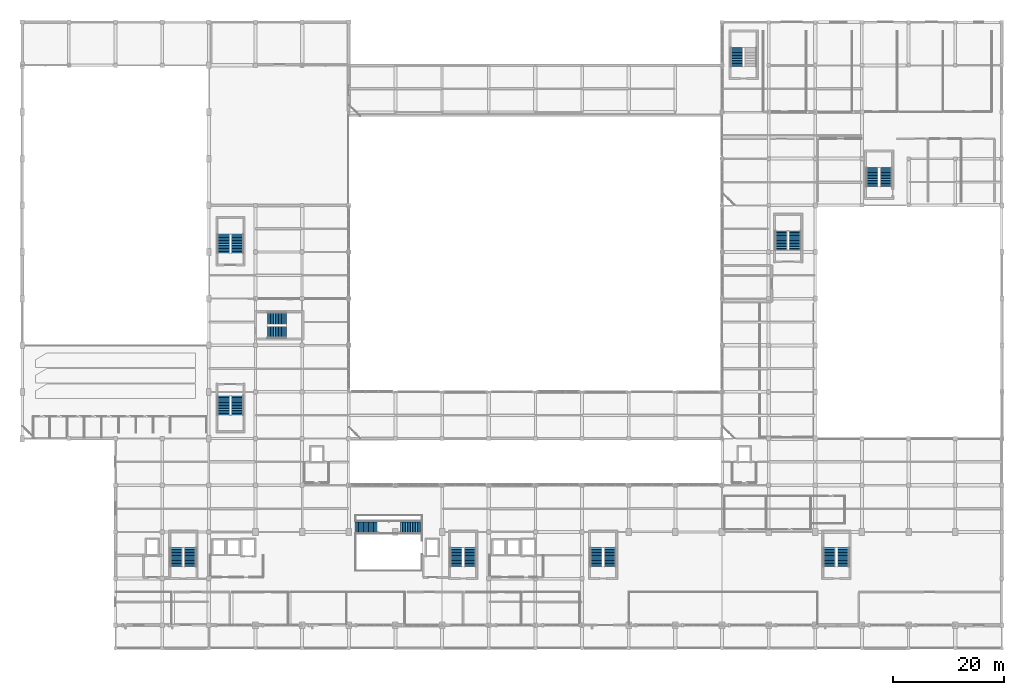
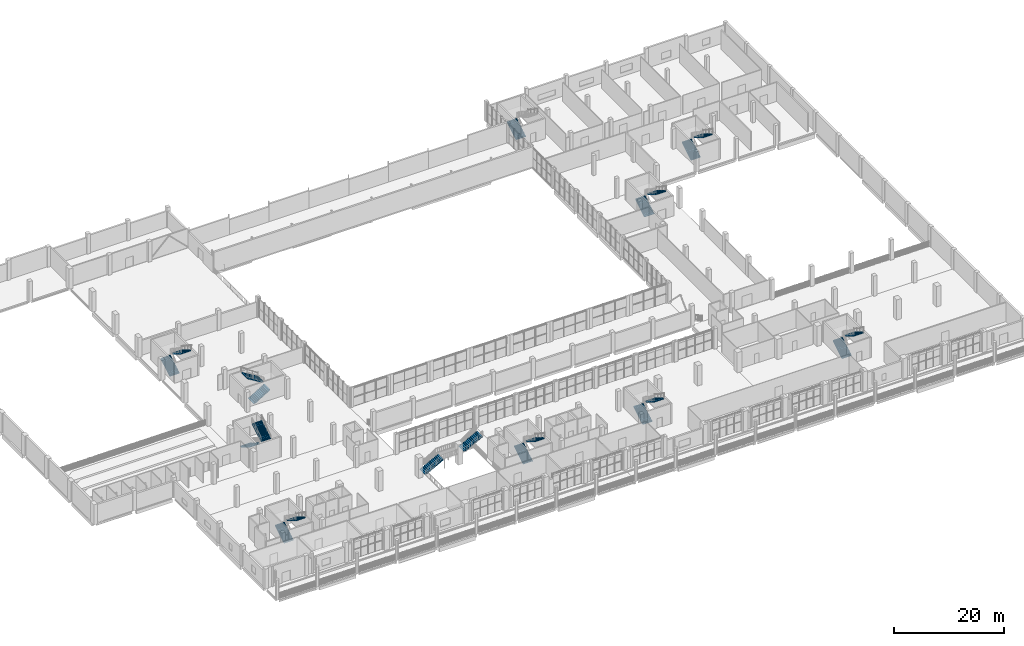
# One storey, part 66 of 75: 21 stair flights, 11 elements without a shape of their own.
"""IFC4 building model written with IfcOpenShell, lengths in metres."""

from ifc_helpers import new_model, si_unit, derived_unit, direction, frame, origin, place, context, subcontext, project, spatial, polyline, outline, extrude, material, type_object, element, aggregate, save


model = new_model("IFC4")

# Units and contexts
model_context = context("Model", 3, precision=1e-05, world=origin(), true_north=direction((0.0, 1.0)))
body_context = subcontext(model_context, "Body", "Model", "MODEL_VIEW")
ifc_project = project(units=[si_unit("LENGTHUNIT", "METRE"), si_unit("AREAUNIT", "SQUARE_METRE"), si_unit("VOLUMEUNIT", "CUBIC_METRE"), si_unit("PLANEANGLEUNIT", "RADIAN"), si_unit("MASSUNIT", "GRAM", prefix="KILO"), derived_unit("THERMALTRANSMITTANCEUNIT", [(si_unit("POWERUNIT", "WATT"), 1), (si_unit("LENGTHUNIT", "METRE"), -2), (si_unit("THERMODYNAMICTEMPERATUREUNIT", "KELVIN"), -1)])], contexts=[model_context])

# Site, building, storey
site_placement = place(None, origin())
site = spatial("IfcSite", under=ifc_project, at=site_placement, CompositionType="ELEMENT")
building_placement = place(site_placement, origin())
building = spatial("IfcBuilding", under=site, at=building_placement, Name="Barrovel Congress Hotel", CompositionType="ELEMENT")
storey_placement = place(building_placement, frame((0.0, 0.0, 5.39990234375)))
storey = spatial("IfcBuildingStorey", under=building, at=storey_placement, Name="L01", CompositionType="ELEMENT", Elevation=5.39990234375)

# Stair, stair flights
ifc_material = material(Name="Concrete C40", Category="concrete")
stair_type_1 = type_object("IfcStairType", Name="STR-HT-450", PredefinedType="HALF_TURN_STAIR", material=ifc_material)
stair_1_placement = place(storey_placement, origin())
stair_1 = element("IfcStair", 1, at=stair_1_placement, inside=storey, type_object=stair_type_1, Name="Exit Stair XS-01 (L01)", PredefinedType="HALF_TURN_STAIR")
stair_flight_type_1 = type_object("IfcStairFlightType", Name="SFL-200x225", PredefinedType="STRAIGHT", material=ifc_material)
stair_flight_1_placement = place(storey_placement, frame((27.760009765625, 14.739990234375, 0.0), z_axis=(0.0, 0.0, 1.0), x_axis=(0.0, 1.0, 0.0)))
stair_flight_1 = element("IfcStairFlight", 2, at=stair_flight_1_placement, type_object=stair_flight_type_1, Name="STAIR:XS-01:L01:F1", NumberOfRisers=13, NumberOfTreads=12, PredefinedType="STRAIGHT", RiserHeight=0.173077, TreadLength=0.285, context=body_context, shape_type="SweptSolid", body=[
    extrude(outline(polyline([(0.0, 0.0), (0.0, 0.173095703125), (0.284912109375, 0.173095703125), (0.284912109375, 0.34619140625), (0.570068359375, 0.34619140625), (0.570068359375, 0.519287109375), (0.85498046875, 0.519287109375), (0.85498046875, 0.6923828125), (1.139892578125, 0.6923828125), (1.139892578125, 0.865478515625), (1.425048828125, 0.865478515625), (1.425048828125, 1.03857421875), (1.7099609375, 1.03857421875), (1.7099609375, 1.21142578125), (1.9951171875, 1.21142578125), (1.9951171875, 1.384521484375), (2.280029296875, 1.384521484375), (2.280029296875, 1.5576171875), (2.56494140625, 1.5576171875), (2.56494140625, 1.730712890625), (2.85009765625, 1.730712890625), (2.85009765625, 1.90380859375), (3.135009765625, 1.90380859375), (3.135009765625, 2.076904296875), (3.419921875, 2.076904296875), (3.419921875, 2.25), (3.419921875, 1.866455078125), (0.3466796875, 0.0), (0.0, 0.0)])), frame((0.0, 1.0, 0.0), z_axis=(0.0, -1.0, 0.0), x_axis=(1.0, 0.0, 0.0)), (0.0, 0.0, 1.0), 2.0),
])
stair_flight_2_placement = place(storey_placement, frame((30.239990234375, 18.159912109375, 2.25), z_axis=(0.0, 0.0, 1.0), x_axis=(0.0, -1.0, 0.0)))
stair_flight_2 = element("IfcStairFlight", 3, at=stair_flight_2_placement, type_object=stair_flight_type_1, Name="STAIR:XS-01:L01:F2", NumberOfRisers=13, NumberOfTreads=12, PredefinedType="STRAIGHT", RiserHeight=0.173077, TreadLength=0.285, context=body_context, shape_type="SweptSolid", body=[
    extrude(outline(polyline([(0.0, 0.0), (0.0, 0.173095703125), (0.284912109375, 0.173095703125), (0.284912109375, 0.34619140625), (0.570068359375, 0.34619140625), (0.570068359375, 0.519287109375), (0.85498046875, 0.519287109375), (0.85498046875, 0.6923828125), (1.139892578125, 0.6923828125), (1.139892578125, 0.865478515625), (1.425048828125, 0.865478515625), (1.425048828125, 1.03857421875), (1.7099609375, 1.03857421875), (1.7099609375, 1.21142578125), (1.9951171875, 1.21142578125), (1.9951171875, 1.384521484375), (2.280029296875, 1.384521484375), (2.280029296875, 1.5576171875), (2.56494140625, 1.5576171875), (2.56494140625, 1.730712890625), (2.85009765625, 1.730712890625), (2.85009765625, 1.90380859375), (3.135009765625, 1.90380859375), (3.135009765625, 2.076904296875), (3.419921875, 2.076904296875), (3.419921875, 2.25), (3.419921875, 1.866455078125), (0.3466796875, 0.0), (0.0, 0.0)])), frame((0.0, 1.0, 0.0), z_axis=(0.0, -1.0, 0.0), x_axis=(1.0, 0.0, 0.0)), (0.0, 0.0, 1.0), 2.0),
])
aggregate(stair_1, [stair_flight_1, stair_flight_2])

stair_2_placement = place(storey_placement, origin())
stair_2 = element("IfcStair", 4, at=stair_2_placement, inside=storey, type_object=stair_type_1, Name="Exit Stair XS-02 (L01)", PredefinedType="HALF_TURN_STAIR")
stair_flight_3_placement = place(storey_placement, frame((78.159912109375, 14.739990234375, 0.0), z_axis=(0.0, 0.0, 1.0), x_axis=(0.0, 1.0, 0.0)))
stair_flight_3 = element("IfcStairFlight", 5, at=stair_flight_3_placement, type_object=stair_flight_type_1, Name="STAIR:XS-02:L01:F1", NumberOfRisers=13, NumberOfTreads=12, PredefinedType="STRAIGHT", RiserHeight=0.173077, TreadLength=0.285, context=body_context, shape_type="SweptSolid", body=[
    extrude(outline(polyline([(0.0, 0.0), (0.0, 0.173095703125), (0.284912109375, 0.173095703125), (0.284912109375, 0.34619140625), (0.570068359375, 0.34619140625), (0.570068359375, 0.519287109375), (0.85498046875, 0.519287109375), (0.85498046875, 0.6923828125), (1.139892578125, 0.6923828125), (1.139892578125, 0.865478515625), (1.425048828125, 0.865478515625), (1.425048828125, 1.03857421875), (1.7099609375, 1.03857421875), (1.7099609375, 1.21142578125), (1.9951171875, 1.21142578125), (1.9951171875, 1.384521484375), (2.280029296875, 1.384521484375), (2.280029296875, 1.5576171875), (2.56494140625, 1.5576171875), (2.56494140625, 1.730712890625), (2.85009765625, 1.730712890625), (2.85009765625, 1.90380859375), (3.135009765625, 1.90380859375), (3.135009765625, 2.076904296875), (3.419921875, 2.076904296875), (3.419921875, 2.25), (3.419921875, 1.866455078125), (0.3466796875, 0.0), (0.0, 0.0)])), frame((0.0, 1.0, 0.0), z_axis=(0.0, -1.0, 0.0), x_axis=(1.0, 0.0, 0.0)), (0.0, 0.0, 1.0), 2.0),
])
stair_flight_4_placement = place(storey_placement, frame((80.639892578125, 18.159912109375, 2.25), z_axis=(0.0, 0.0, 1.0), x_axis=(0.0, -1.0, 0.0)))
stair_flight_4 = element("IfcStairFlight", 6, at=stair_flight_4_placement, type_object=stair_flight_type_1, Name="STAIR:XS-02:L01:F2", NumberOfRisers=13, NumberOfTreads=12, PredefinedType="STRAIGHT", RiserHeight=0.173077, TreadLength=0.285, context=body_context, shape_type="SweptSolid", body=[
    extrude(outline(polyline([(0.0, 0.0), (0.0, 0.173095703125), (0.284912109375, 0.173095703125), (0.284912109375, 0.34619140625), (0.570068359375, 0.34619140625), (0.570068359375, 0.519287109375), (0.85498046875, 0.519287109375), (0.85498046875, 0.6923828125), (1.139892578125, 0.6923828125), (1.139892578125, 0.865478515625), (1.425048828125, 0.865478515625), (1.425048828125, 1.03857421875), (1.7099609375, 1.03857421875), (1.7099609375, 1.21142578125), (1.9951171875, 1.21142578125), (1.9951171875, 1.384521484375), (2.280029296875, 1.384521484375), (2.280029296875, 1.5576171875), (2.56494140625, 1.5576171875), (2.56494140625, 1.730712890625), (2.85009765625, 1.730712890625), (2.85009765625, 1.90380859375), (3.135009765625, 1.90380859375), (3.135009765625, 2.076904296875), (3.419921875, 2.076904296875), (3.419921875, 2.25), (3.419921875, 1.866455078125), (0.3466796875, 0.0), (0.0, 0.0)])), frame((0.0, 1.0, 0.0), z_axis=(0.0, -1.0, 0.0), x_axis=(1.0, 0.0, 0.0)), (0.0, 0.0, 1.0), 2.0),
])
aggregate(stair_2, [stair_flight_3, stair_flight_4])

stair_3_placement = place(storey_placement, origin())
stair_3 = element("IfcStair", 7, at=stair_3_placement, inside=storey, type_object=stair_type_1, Name="Exit Stair XS-03 (L01)", PredefinedType="HALF_TURN_STAIR")
stair_flight_5_placement = place(storey_placement, frame((103.360107421875, 14.739990234375, 0.0), z_axis=(0.0, 0.0, 1.0), x_axis=(0.0, 1.0, 0.0)))
stair_flight_5 = element("IfcStairFlight", 8, at=stair_flight_5_placement, type_object=stair_flight_type_1, Name="STAIR:XS-03:L01:F1", NumberOfRisers=13, NumberOfTreads=12, PredefinedType="STRAIGHT", RiserHeight=0.173077, TreadLength=0.285, context=body_context, shape_type="SweptSolid", body=[
    extrude(outline(polyline([(0.0, 0.0), (0.0, 0.173095703125), (0.284912109375, 0.173095703125), (0.284912109375, 0.34619140625), (0.570068359375, 0.34619140625), (0.570068359375, 0.519287109375), (0.85498046875, 0.519287109375), (0.85498046875, 0.6923828125), (1.139892578125, 0.6923828125), (1.139892578125, 0.865478515625), (1.425048828125, 0.865478515625), (1.425048828125, 1.03857421875), (1.7099609375, 1.03857421875), (1.7099609375, 1.21142578125), (1.9951171875, 1.21142578125), (1.9951171875, 1.384521484375), (2.280029296875, 1.384521484375), (2.280029296875, 1.5576171875), (2.56494140625, 1.5576171875), (2.56494140625, 1.730712890625), (2.85009765625, 1.730712890625), (2.85009765625, 1.90380859375), (3.135009765625, 1.90380859375), (3.135009765625, 2.076904296875), (3.419921875, 2.076904296875), (3.419921875, 2.25), (3.419921875, 1.866455078125), (0.3466796875, 0.0), (0.0, 0.0)])), frame((0.0, 1.0, 0.0), z_axis=(0.0, -1.0, 0.0), x_axis=(1.0, 0.0, 0.0)), (0.0, 0.0, 1.0), 2.0),
])
stair_flight_6_placement = place(storey_placement, frame((105.840087890625, 18.159912109375, 2.25), z_axis=(0.0, 0.0, 1.0), x_axis=(0.0, -1.0, 0.0)))
stair_flight_6 = element("IfcStairFlight", 9, at=stair_flight_6_placement, type_object=stair_flight_type_1, Name="STAIR:XS-03:L01:F2", NumberOfRisers=13, NumberOfTreads=12, PredefinedType="STRAIGHT", RiserHeight=0.173077, TreadLength=0.285, context=body_context, shape_type="SweptSolid", body=[
    extrude(outline(polyline([(0.0, 0.0), (0.0, 0.173095703125), (0.284912109375, 0.173095703125), (0.284912109375, 0.34619140625), (0.570068359375, 0.34619140625), (0.570068359375, 0.519287109375), (0.85498046875, 0.519287109375), (0.85498046875, 0.6923828125), (1.139892578125, 0.6923828125), (1.139892578125, 0.865478515625), (1.425048828125, 0.865478515625), (1.425048828125, 1.03857421875), (1.7099609375, 1.03857421875), (1.7099609375, 1.21142578125), (1.9951171875, 1.21142578125), (1.9951171875, 1.384521484375), (2.280029296875, 1.384521484375), (2.280029296875, 1.5576171875), (2.56494140625, 1.5576171875), (2.56494140625, 1.730712890625), (2.85009765625, 1.730712890625), (2.85009765625, 1.90380859375), (3.135009765625, 1.90380859375), (3.135009765625, 2.076904296875), (3.419921875, 2.076904296875), (3.419921875, 2.25), (3.419921875, 1.866455078125), (0.3466796875, 0.0), (0.0, 0.0)])), frame((0.0, 1.0, 0.0), z_axis=(0.0, -1.0, 0.0), x_axis=(1.0, 0.0, 0.0)), (0.0, 0.0, 1.0), 2.0),
])
aggregate(stair_3, [stair_flight_5, stair_flight_6])

stair_4_placement = place(storey_placement, origin())
stair_4 = element("IfcStair", 10, at=stair_4_placement, inside=storey, type_object=stair_type_1, Name="Exit Stair XS-04 (L01)", PredefinedType="HALF_TURN_STAIR")
stair_flight_7_placement = place(storey_placement, frame((145.360107421875, 14.739990234375, 0.0), z_axis=(0.0, 0.0, 1.0), x_axis=(0.0, 1.0, 0.0)))
stair_flight_7 = element("IfcStairFlight", 11, at=stair_flight_7_placement, type_object=stair_flight_type_1, Name="STAIR:XS-04:L01:F1", NumberOfRisers=13, NumberOfTreads=12, PredefinedType="STRAIGHT", RiserHeight=0.173077, TreadLength=0.285, context=body_context, shape_type="SweptSolid", body=[
    extrude(outline(polyline([(0.0, 0.0), (0.0, 0.173095703125), (0.284912109375, 0.173095703125), (0.284912109375, 0.34619140625), (0.570068359375, 0.34619140625), (0.570068359375, 0.519287109375), (0.85498046875, 0.519287109375), (0.85498046875, 0.6923828125), (1.139892578125, 0.6923828125), (1.139892578125, 0.865478515625), (1.425048828125, 0.865478515625), (1.425048828125, 1.03857421875), (1.7099609375, 1.03857421875), (1.7099609375, 1.21142578125), (1.9951171875, 1.21142578125), (1.9951171875, 1.384521484375), (2.280029296875, 1.384521484375), (2.280029296875, 1.5576171875), (2.56494140625, 1.5576171875), (2.56494140625, 1.730712890625), (2.85009765625, 1.730712890625), (2.85009765625, 1.90380859375), (3.135009765625, 1.90380859375), (3.135009765625, 2.076904296875), (3.419921875, 2.076904296875), (3.419921875, 2.25), (3.419921875, 1.866455078125), (0.3466796875, 0.0), (0.0, 0.0)])), frame((0.0, 1.0, 0.0), z_axis=(0.0, -1.0, 0.0), x_axis=(1.0, 0.0, 0.0)), (0.0, 0.0, 1.0), 2.0),
])
stair_flight_8_placement = place(storey_placement, frame((147.840087890625, 18.159912109375, 2.25), z_axis=(0.0, 0.0, 1.0), x_axis=(0.0, -1.0, 0.0)))
stair_flight_8 = element("IfcStairFlight", 12, at=stair_flight_8_placement, type_object=stair_flight_type_1, Name="STAIR:XS-04:L01:F2", NumberOfRisers=13, NumberOfTreads=12, PredefinedType="STRAIGHT", RiserHeight=0.173077, TreadLength=0.285, context=body_context, shape_type="SweptSolid", body=[
    extrude(outline(polyline([(0.0, 0.0), (0.0, 0.173095703125), (0.284912109375, 0.173095703125), (0.284912109375, 0.34619140625), (0.570068359375, 0.34619140625), (0.570068359375, 0.519287109375), (0.85498046875, 0.519287109375), (0.85498046875, 0.6923828125), (1.139892578125, 0.6923828125), (1.139892578125, 0.865478515625), (1.425048828125, 0.865478515625), (1.425048828125, 1.03857421875), (1.7099609375, 1.03857421875), (1.7099609375, 1.21142578125), (1.9951171875, 1.21142578125), (1.9951171875, 1.384521484375), (2.280029296875, 1.384521484375), (2.280029296875, 1.5576171875), (2.56494140625, 1.5576171875), (2.56494140625, 1.730712890625), (2.85009765625, 1.730712890625), (2.85009765625, 1.90380859375), (3.135009765625, 1.90380859375), (3.135009765625, 2.076904296875), (3.419921875, 2.076904296875), (3.419921875, 2.25), (3.419921875, 1.866455078125), (0.3466796875, 0.0), (0.0, 0.0)])), frame((0.0, 1.0, 0.0), z_axis=(0.0, -1.0, 0.0), x_axis=(1.0, 0.0, 0.0)), (0.0, 0.0, 1.0), 2.0),
])
aggregate(stair_4, [stair_flight_7, stair_flight_8])

stair_5_placement = place(storey_placement, origin())
stair_5 = element("IfcStair", 13, at=stair_5_placement, inside=storey, type_object=stair_type_1, Name="Exit Stair XS-06 (L01)", PredefinedType="HALF_TURN_STAIR")
stair_flight_9_placement = place(storey_placement, frame((153.06005859375, 83.179931640625, 0.0), z_axis=(0.0, 0.0, 1.0), x_axis=(0.0, 1.0, 0.0)))
stair_flight_9 = element("IfcStairFlight", 14, at=stair_flight_9_placement, type_object=stair_flight_type_1, Name="STAIR:XS-06:L01:F1", NumberOfRisers=13, NumberOfTreads=12, PredefinedType="STRAIGHT", RiserHeight=0.173077, TreadLength=0.285, context=body_context, shape_type="SweptSolid", body=[
    extrude(outline(polyline([(0.0, 0.0), (0.0, 0.173095703125), (0.284912109375, 0.173095703125), (0.284912109375, 0.34619140625), (0.570068359375, 0.34619140625), (0.570068359375, 0.519287109375), (0.85498046875, 0.519287109375), (0.85498046875, 0.6923828125), (1.139892578125, 0.6923828125), (1.139892578125, 0.865478515625), (1.425048828125, 0.865478515625), (1.425048828125, 1.03857421875), (1.7099609375, 1.03857421875), (1.7099609375, 1.21142578125), (1.9951171875, 1.21142578125), (1.9951171875, 1.384521484375), (2.280029296875, 1.384521484375), (2.280029296875, 1.5576171875), (2.56494140625, 1.5576171875), (2.56494140625, 1.730712890625), (2.85009765625, 1.730712890625), (2.85009765625, 1.90380859375), (3.135009765625, 1.90380859375), (3.135009765625, 2.076904296875), (3.419921875, 2.076904296875), (3.419921875, 2.25), (3.419921875, 1.866455078125), (0.3466796875, 0.0), (0.0, 0.0)])), frame((0.0, 1.0, 0.0), z_axis=(0.0, -1.0, 0.0), x_axis=(1.0, 0.0, 0.0)), (0.0, 0.0, 1.0), 2.0),
])
stair_flight_10_placement = place(storey_placement, frame((155.5400390625, 86.60009765625, 2.25), z_axis=(0.0, 0.0, 1.0), x_axis=(0.0, -1.0, 0.0)))
stair_flight_10 = element("IfcStairFlight", 15, at=stair_flight_10_placement, type_object=stair_flight_type_1, Name="STAIR:XS-06:L01:F2", NumberOfRisers=13, NumberOfTreads=12, PredefinedType="STRAIGHT", RiserHeight=0.173077, TreadLength=0.285, context=body_context, shape_type="SweptSolid", body=[
    extrude(outline(polyline([(0.0, 0.0), (0.0, 0.173095703125), (0.284912109375, 0.173095703125), (0.284912109375, 0.34619140625), (0.570068359375, 0.34619140625), (0.570068359375, 0.519287109375), (0.85498046875, 0.519287109375), (0.85498046875, 0.6923828125), (1.139892578125, 0.6923828125), (1.139892578125, 0.865478515625), (1.425048828125, 0.865478515625), (1.425048828125, 1.03857421875), (1.7099609375, 1.03857421875), (1.7099609375, 1.21142578125), (1.9951171875, 1.21142578125), (1.9951171875, 1.384521484375), (2.280029296875, 1.384521484375), (2.280029296875, 1.5576171875), (2.56494140625, 1.5576171875), (2.56494140625, 1.730712890625), (2.85009765625, 1.730712890625), (2.85009765625, 1.90380859375), (3.135009765625, 1.90380859375), (3.135009765625, 2.076904296875), (3.419921875, 2.076904296875), (3.419921875, 2.25), (3.419921875, 1.866455078125), (0.3466796875, 0.0), (0.0, 0.0)])), frame((0.0, 1.0, 0.0), z_axis=(0.0, -1.0, 0.0), x_axis=(1.0, 0.0, 0.0)), (0.0, 0.0, 1.0), 2.0),
])
aggregate(stair_5, [stair_flight_9, stair_flight_10])

stair_type_2 = type_object("IfcStairType", Name="STR-2Q-450", PredefinedType="TWO_QUARTER_TURN_STAIR", material=ifc_material)
stair_6_placement = place(storey_placement, origin())
stair_6 = element("IfcStair", 16, at=stair_6_placement, inside=storey, type_object=stair_type_2, Name="Exit Stair XS-05 (L01)", PredefinedType="TWO_QUARTER_TURN_STAIR")
stair_flight_type_2 = type_object("IfcStairFlightType", Name="SFL-205x225", PredefinedType="STRAIGHT", material=ifc_material)
stair_flight_11_placement = place(storey_placement, frame((44.139892578125, 56.985107421875, 0.0), z_axis=(0.0, 0.0, 1.0), x_axis=(1.0, 0.0, 0.0)))
stair_flight_11 = element("IfcStairFlight", 17, at=stair_flight_11_placement, type_object=stair_flight_type_2, Name="STAIR:XS-05:L01:F1", NumberOfRisers=13, NumberOfTreads=12, PredefinedType="STRAIGHT", RiserHeight=0.173077, TreadLength=0.285, context=body_context, shape_type="SweptSolid", body=[
    extrude(outline(polyline([(0.0, 0.0), (0.0, 0.173095703125), (0.284912109375, 0.173095703125), (0.284912109375, 0.34619140625), (0.570068359375, 0.34619140625), (0.570068359375, 0.519287109375), (0.85498046875, 0.519287109375), (0.85498046875, 0.6923828125), (1.139892578125, 0.6923828125), (1.139892578125, 0.865478515625), (1.425048828125, 0.865478515625), (1.425048828125, 1.03857421875), (1.7099609375, 1.03857421875), (1.7099609375, 1.21142578125), (1.9951171875, 1.21142578125), (1.9951171875, 1.384521484375), (2.280029296875, 1.384521484375), (2.280029296875, 1.5576171875), (2.56494140625, 1.5576171875), (2.56494140625, 1.730712890625), (2.85009765625, 1.730712890625), (2.85009765625, 1.90380859375), (3.135009765625, 1.90380859375), (3.135009765625, 2.076904296875), (3.419921875, 2.076904296875), (3.419921875, 2.25), (3.419921875, 1.866455078125), (0.3466796875, 0.0), (0.0, 0.0)])), frame((0.0, 1.02490234375, 0.0), z_axis=(0.0, -1.0, 0.0), x_axis=(1.0, 0.0, 0.0)), (0.0, 0.0, 1.0), 2.050048828125),
])
stair_flight_12_placement = place(storey_placement, frame((47.56005859375, 59.4150390625, 2.25), z_axis=(0.0, 0.0, 1.0), x_axis=(-1.0, 0.0, 0.0)))
stair_flight_12 = element("IfcStairFlight", 18, at=stair_flight_12_placement, type_object=stair_flight_type_2, Name="STAIR:XS-05:L01:F2", NumberOfRisers=13, NumberOfTreads=12, PredefinedType="STRAIGHT", RiserHeight=0.173077, TreadLength=0.285, context=body_context, shape_type="SweptSolid", body=[
    extrude(outline(polyline([(0.0, 0.0), (0.0, 0.173095703125), (0.284912109375, 0.173095703125), (0.284912109375, 0.34619140625), (0.570068359375, 0.34619140625), (0.570068359375, 0.519287109375), (0.85498046875, 0.519287109375), (0.85498046875, 0.6923828125), (1.139892578125, 0.6923828125), (1.139892578125, 0.865478515625), (1.425048828125, 0.865478515625), (1.425048828125, 1.03857421875), (1.7099609375, 1.03857421875), (1.7099609375, 1.21142578125), (1.9951171875, 1.21142578125), (1.9951171875, 1.384521484375), (2.280029296875, 1.384521484375), (2.280029296875, 1.5576171875), (2.56494140625, 1.5576171875), (2.56494140625, 1.730712890625), (2.85009765625, 1.730712890625), (2.85009765625, 1.90380859375), (3.135009765625, 1.90380859375), (3.135009765625, 2.076904296875), (3.419921875, 2.076904296875), (3.419921875, 2.25), (3.419921875, 1.866455078125), (0.3466796875, 0.0), (0.0, 0.0)])), frame((0.0, 1.02490234375, 0.0), z_axis=(0.0, -1.0, 0.0), x_axis=(1.0, 0.0, 0.0)), (0.0, 0.0, 1.0), 2.050048828125),
])
aggregate(stair_6, [stair_flight_11, stair_flight_12])

stair_7_placement = place(storey_placement, origin())
stair_7 = element("IfcStair", 19, at=stair_7_placement, inside=storey, type_object=stair_type_2, Name="Exit Stair XS-07 (L01)", PredefinedType="TWO_QUARTER_TURN_STAIR")
stair_flight_13_placement = place(storey_placement, frame((36.284912109375, 71.179931640625, 0.0), z_axis=(0.0, 0.0, 1.0), x_axis=(0.0, 1.0, 0.0)))
stair_flight_13 = element("IfcStairFlight", 20, at=stair_flight_13_placement, type_object=stair_flight_type_2, Name="STAIR:XS-07:L01:F1", NumberOfRisers=13, NumberOfTreads=12, PredefinedType="STRAIGHT", RiserHeight=0.173077, TreadLength=0.285, context=body_context, shape_type="SweptSolid", body=[
    extrude(outline(polyline([(0.0, 0.0), (0.0, 0.173095703125), (0.284912109375, 0.173095703125), (0.284912109375, 0.34619140625), (0.570068359375, 0.34619140625), (0.570068359375, 0.519287109375), (0.85498046875, 0.519287109375), (0.85498046875, 0.6923828125), (1.139892578125, 0.6923828125), (1.139892578125, 0.865478515625), (1.425048828125, 0.865478515625), (1.425048828125, 1.03857421875), (1.7099609375, 1.03857421875), (1.7099609375, 1.21142578125), (1.9951171875, 1.21142578125), (1.9951171875, 1.384521484375), (2.280029296875, 1.384521484375), (2.280029296875, 1.5576171875), (2.56494140625, 1.5576171875), (2.56494140625, 1.730712890625), (2.85009765625, 1.730712890625), (2.85009765625, 1.90380859375), (3.135009765625, 1.90380859375), (3.135009765625, 2.076904296875), (3.419921875, 2.076904296875), (3.419921875, 2.25), (3.419921875, 1.866455078125), (0.3466796875, 0.0), (0.0, 0.0)])), frame((0.0, 1.02490234375, 0.0), z_axis=(0.0, -1.0, 0.0), x_axis=(1.0, 0.0, 0.0)), (0.0, 0.0, 1.0), 2.050048828125),
])
stair_flight_14_placement = place(storey_placement, frame((38.715087890625, 74.60009765625, 2.25), z_axis=(0.0, 0.0, 1.0), x_axis=(0.0, -1.0, 0.0)))
stair_flight_14 = element("IfcStairFlight", 21, at=stair_flight_14_placement, type_object=stair_flight_type_2, Name="STAIR:XS-07:L01:F2", NumberOfRisers=13, NumberOfTreads=12, PredefinedType="STRAIGHT", RiserHeight=0.173077, TreadLength=0.285, context=body_context, shape_type="SweptSolid", body=[
    extrude(outline(polyline([(0.0, 0.0), (0.0, 0.173095703125), (0.284912109375, 0.173095703125), (0.284912109375, 0.34619140625), (0.570068359375, 0.34619140625), (0.570068359375, 0.519287109375), (0.85498046875, 0.519287109375), (0.85498046875, 0.6923828125), (1.139892578125, 0.6923828125), (1.139892578125, 0.865478515625), (1.425048828125, 0.865478515625), (1.425048828125, 1.03857421875), (1.7099609375, 1.03857421875), (1.7099609375, 1.21142578125), (1.9951171875, 1.21142578125), (1.9951171875, 1.384521484375), (2.280029296875, 1.384521484375), (2.280029296875, 1.5576171875), (2.56494140625, 1.5576171875), (2.56494140625, 1.730712890625), (2.85009765625, 1.730712890625), (2.85009765625, 1.90380859375), (3.135009765625, 1.90380859375), (3.135009765625, 2.076904296875), (3.419921875, 2.076904296875), (3.419921875, 2.25), (3.419921875, 1.866455078125), (0.3466796875, 0.0), (0.0, 0.0)])), frame((0.0, 1.02490234375, 0.0), z_axis=(0.0, -1.0, 0.0), x_axis=(1.0, 0.0, 0.0)), (0.0, 0.0, 1.0), 2.050048828125),
])
aggregate(stair_7, [stair_flight_13, stair_flight_14])

stair_8_placement = place(storey_placement, origin())
stair_8 = element("IfcStair", 22, at=stair_8_placement, inside=storey, type_object=stair_type_2, Name="Exit Stair XS-08 (L01)", PredefinedType="TWO_QUARTER_TURN_STAIR")
stair_flight_15_placement = place(storey_placement, frame((36.284912109375, 45.4599609375, 0.0), z_axis=(0.0, 0.0, 1.0), x_axis=(0.0, -1.0, 0.0)))
stair_flight_15 = element("IfcStairFlight", 23, at=stair_flight_15_placement, type_object=stair_flight_type_2, Name="STAIR:XS-08:L01:F1", NumberOfRisers=13, NumberOfTreads=12, PredefinedType="STRAIGHT", RiserHeight=0.173077, TreadLength=0.285, context=body_context, shape_type="SweptSolid", body=[
    extrude(outline(polyline([(0.0, 0.0), (0.0, 0.173095703125), (0.284912109375, 0.173095703125), (0.284912109375, 0.34619140625), (0.570068359375, 0.34619140625), (0.570068359375, 0.519287109375), (0.85498046875, 0.519287109375), (0.85498046875, 0.6923828125), (1.139892578125, 0.6923828125), (1.139892578125, 0.865478515625), (1.425048828125, 0.865478515625), (1.425048828125, 1.03857421875), (1.7099609375, 1.03857421875), (1.7099609375, 1.21142578125), (1.9951171875, 1.21142578125), (1.9951171875, 1.384521484375), (2.280029296875, 1.384521484375), (2.280029296875, 1.5576171875), (2.56494140625, 1.5576171875), (2.56494140625, 1.730712890625), (2.85009765625, 1.730712890625), (2.85009765625, 1.90380859375), (3.135009765625, 1.90380859375), (3.135009765625, 2.076904296875), (3.419921875, 2.076904296875), (3.419921875, 2.25), (3.419921875, 1.866455078125), (0.3466796875, 0.0), (0.0, 0.0)])), frame((0.0, 1.02490234375, 0.0), z_axis=(0.0, -1.0, 0.0), x_axis=(1.0, 0.0, 0.0)), (0.0, 0.0, 1.0), 2.050048828125),
])
stair_flight_16_placement = place(storey_placement, frame((38.715087890625, 42.0400390625, 2.25), z_axis=(0.0, 0.0, 1.0), x_axis=(0.0, 1.0, 0.0)))
stair_flight_16 = element("IfcStairFlight", 24, at=stair_flight_16_placement, type_object=stair_flight_type_2, Name="STAIR:XS-08:L01:F2", NumberOfRisers=13, NumberOfTreads=12, PredefinedType="STRAIGHT", RiserHeight=0.173077, TreadLength=0.285, context=body_context, shape_type="SweptSolid", body=[
    extrude(outline(polyline([(0.0, 0.0), (0.0, 0.173095703125), (0.284912109375, 0.173095703125), (0.284912109375, 0.34619140625), (0.570068359375, 0.34619140625), (0.570068359375, 0.519287109375), (0.85498046875, 0.519287109375), (0.85498046875, 0.6923828125), (1.139892578125, 0.6923828125), (1.139892578125, 0.865478515625), (1.425048828125, 0.865478515625), (1.425048828125, 1.03857421875), (1.7099609375, 1.03857421875), (1.7099609375, 1.21142578125), (1.9951171875, 1.21142578125), (1.9951171875, 1.384521484375), (2.280029296875, 1.384521484375), (2.280029296875, 1.5576171875), (2.56494140625, 1.5576171875), (2.56494140625, 1.730712890625), (2.85009765625, 1.730712890625), (2.85009765625, 1.90380859375), (3.135009765625, 1.90380859375), (3.135009765625, 2.076904296875), (3.419921875, 2.076904296875), (3.419921875, 2.25), (3.419921875, 1.866455078125), (0.3466796875, 0.0), (0.0, 0.0)])), frame((0.0, 1.02490234375, 0.0), z_axis=(0.0, -1.0, 0.0), x_axis=(1.0, 0.0, 0.0)), (0.0, 0.0, 1.0), 2.050048828125),
])
aggregate(stair_8, [stair_flight_15, stair_flight_16])

stair_9_placement = place(storey_placement, origin())
stair_9 = element("IfcStair", 25, at=stair_9_placement, inside=storey, type_object=stair_type_2, Name="Exit Stair XS-09 (L01)", PredefinedType="TWO_QUARTER_TURN_STAIR")
stair_flight_17_placement = place(storey_placement, frame((136.68505859375, 71.780029296875, 0.0), z_axis=(0.0, 0.0, 1.0), x_axis=(0.0, 1.0, 0.0)))
stair_flight_17 = element("IfcStairFlight", 26, at=stair_flight_17_placement, type_object=stair_flight_type_2, Name="STAIR:XS-09:L01:F1", NumberOfRisers=13, NumberOfTreads=12, PredefinedType="STRAIGHT", RiserHeight=0.173077, TreadLength=0.285, context=body_context, shape_type="SweptSolid", body=[
    extrude(outline(polyline([(0.0, 0.0), (0.0, 0.173095703125), (0.284912109375, 0.173095703125), (0.284912109375, 0.34619140625), (0.570068359375, 0.34619140625), (0.570068359375, 0.519287109375), (0.85498046875, 0.519287109375), (0.85498046875, 0.6923828125), (1.139892578125, 0.6923828125), (1.139892578125, 0.865478515625), (1.425048828125, 0.865478515625), (1.425048828125, 1.03857421875), (1.7099609375, 1.03857421875), (1.7099609375, 1.21142578125), (1.9951171875, 1.21142578125), (1.9951171875, 1.384521484375), (2.280029296875, 1.384521484375), (2.280029296875, 1.5576171875), (2.56494140625, 1.5576171875), (2.56494140625, 1.730712890625), (2.85009765625, 1.730712890625), (2.85009765625, 1.90380859375), (3.135009765625, 1.90380859375), (3.135009765625, 2.076904296875), (3.419921875, 2.076904296875), (3.419921875, 2.25), (3.419921875, 1.866455078125), (0.3466796875, 0.0), (0.0, 0.0)])), frame((0.0, 1.02490234375, 0.0), z_axis=(0.0, -1.0, 0.0), x_axis=(1.0, 0.0, 0.0)), (0.0, 0.0, 1.0), 2.050048828125),
])
stair_flight_18_placement = place(storey_placement, frame((139.114990234375, 75.199951171875, 2.25), z_axis=(0.0, 0.0, 1.0), x_axis=(0.0, -1.0, 0.0)))
stair_flight_18 = element("IfcStairFlight", 27, at=stair_flight_18_placement, type_object=stair_flight_type_2, Name="STAIR:XS-09:L01:F2", NumberOfRisers=13, NumberOfTreads=12, PredefinedType="STRAIGHT", RiserHeight=0.173077, TreadLength=0.285, context=body_context, shape_type="SweptSolid", body=[
    extrude(outline(polyline([(0.0, 0.0), (0.0, 0.173095703125), (0.284912109375, 0.173095703125), (0.284912109375, 0.34619140625), (0.570068359375, 0.34619140625), (0.570068359375, 0.519287109375), (0.85498046875, 0.519287109375), (0.85498046875, 0.6923828125), (1.139892578125, 0.6923828125), (1.139892578125, 0.865478515625), (1.425048828125, 0.865478515625), (1.425048828125, 1.03857421875), (1.7099609375, 1.03857421875), (1.7099609375, 1.21142578125), (1.9951171875, 1.21142578125), (1.9951171875, 1.384521484375), (2.280029296875, 1.384521484375), (2.280029296875, 1.5576171875), (2.56494140625, 1.5576171875), (2.56494140625, 1.730712890625), (2.85009765625, 1.730712890625), (2.85009765625, 1.90380859375), (3.135009765625, 1.90380859375), (3.135009765625, 2.076904296875), (3.419921875, 2.076904296875), (3.419921875, 2.25), (3.419921875, 1.866455078125), (0.3466796875, 0.0), (0.0, 0.0)])), frame((0.0, 1.02490234375, 0.0), z_axis=(0.0, -1.0, 0.0), x_axis=(1.0, 0.0, 0.0)), (0.0, 0.0, 1.0), 2.050048828125),
])
aggregate(stair_9, [stair_flight_17, stair_flight_18])

# Stair, stair flight
stair_10_placement = place(storey_placement, origin())
stair_10 = element("IfcStair", 28, at=stair_10_placement, inside=storey, type_object=stair_type_2, Name="Exit Stair XS-10 (L01)", PredefinedType="TWO_QUARTER_TURN_STAIR")
stair_flight_19_placement = place(storey_placement, frame((128.68505859375, 104.780029296875, 0.0), z_axis=(0.0, 0.0, 1.0), x_axis=(0.0, 1.0, 0.0)))
stair_flight_19 = element("IfcStairFlight", 29, at=stair_flight_19_placement, type_object=stair_flight_type_2, Name="STAIR:XS-10:L01:F1", NumberOfRisers=13, NumberOfTreads=12, PredefinedType="STRAIGHT", RiserHeight=0.173077, TreadLength=0.285, context=body_context, shape_type="SweptSolid", body=[
    extrude(outline(polyline([(0.0, 0.0), (0.0, 0.173095703125), (0.284912109375, 0.173095703125), (0.284912109375, 0.34619140625), (0.570068359375, 0.34619140625), (0.570068359375, 0.519287109375), (0.85498046875, 0.519287109375), (0.85498046875, 0.6923828125), (1.139892578125, 0.6923828125), (1.139892578125, 0.865478515625), (1.425048828125, 0.865478515625), (1.425048828125, 1.03857421875), (1.7099609375, 1.03857421875), (1.7099609375, 1.21142578125), (1.9951171875, 1.21142578125), (1.9951171875, 1.384521484375), (2.280029296875, 1.384521484375), (2.280029296875, 1.5576171875), (2.56494140625, 1.5576171875), (2.56494140625, 1.730712890625), (2.85009765625, 1.730712890625), (2.85009765625, 1.90380859375), (3.135009765625, 1.90380859375), (3.135009765625, 2.076904296875), (3.419921875, 2.076904296875), (3.419921875, 2.25), (3.419921875, 1.866455078125), (0.3466796875, 0.0), (0.0, 0.0)])), frame((0.0, 1.02490234375, 0.0), z_axis=(0.0, -1.0, 0.0), x_axis=(1.0, 0.0, 0.0)), (0.0, 0.0, 1.0), 2.050048828125),
])
aggregate(stair_10, [stair_flight_19])

# Stair, stair flights
stair_type_3 = type_object("IfcStairType", Name="STR-SR-450", PredefinedType="STRAIGHT_RUN_STAIR", material=ifc_material)
stair_11_placement = place(storey_placement, origin())
stair_11 = element("IfcStair", 30, at=stair_11_placement, inside=storey, type_object=stair_type_3, Name="Atrium Grand Stair L01-L02", PredefinedType="STRAIGHT_RUN_STAIR")
stair_flight_type_3 = type_object("IfcStairFlightType", Name="SFL-220x225", PredefinedType="STRAIGHT", material=ifc_material)
stair_flight_20_placement = place(storey_placement, frame((59.949951171875, 21.800048828125, 0.0), z_axis=(0.0, 0.0, 1.0), x_axis=(1.0, 0.0, 0.0)))
stair_flight_20 = element("IfcStairFlight", 31, at=stair_flight_20_placement, type_object=stair_flight_type_3, Name="STAIR:ATR-L01:F1", NumberOfRisers=14, NumberOfTreads=13, PredefinedType="STRAIGHT", RiserHeight=0.160714, TreadLength=0.3, context=body_context, shape_type="SweptSolid", body=[
    extrude(outline(polyline([(0.0, 0.0), (0.0, 0.16064453125), (0.300048828125, 0.16064453125), (0.300048828125, 0.321533203125), (0.60009765625, 0.321533203125), (0.60009765625, 0.482177734375), (0.89990234375, 0.482177734375), (0.89990234375, 0.642822265625), (1.199951171875, 0.642822265625), (1.199951171875, 0.803466796875), (1.5, 0.803466796875), (1.5, 0.96435546875), (1.800048828125, 0.96435546875), (1.800048828125, 1.125), (2.10009765625, 1.125), (2.10009765625, 1.28564453125), (2.39990234375, 1.28564453125), (2.39990234375, 1.446533203125), (2.699951171875, 1.446533203125), (2.699951171875, 1.607177734375), (3.0, 1.607177734375), (3.0, 1.767822265625), (3.300048828125, 1.767822265625), (3.300048828125, 1.928466796875), (3.60009765625, 1.928466796875), (3.60009765625, 2.08935546875), (3.89990234375, 2.08935546875), (3.89990234375, 2.25), (3.89990234375, 1.88525390625), (0.381103515625, 0.0), (0.0, 0.0)])), frame((0.0, 0.949951171875, 0.0), z_axis=(0.0, -1.0, 0.0), x_axis=(1.0, 0.0, 0.0)), (0.0, 0.0, 1.0), 1.89990234375),
])
stair_flight_21_placement = place(storey_placement, frame((68.14990234375, 21.800048828125, 2.25), z_axis=(0.0, 0.0, 1.0), x_axis=(1.0, 0.0, 0.0)))
stair_flight_21 = element("IfcStairFlight", 32, at=stair_flight_21_placement, type_object=stair_flight_type_3, Name="STAIR:ATR-L01:F2", NumberOfRisers=14, NumberOfTreads=13, PredefinedType="STRAIGHT", RiserHeight=0.160714, TreadLength=0.3, context=body_context, shape_type="SweptSolid", body=[
    extrude(outline(polyline([(0.0, 0.0), (0.0, 0.16064453125), (0.300048828125, 0.16064453125), (0.300048828125, 0.321533203125), (0.60009765625, 0.321533203125), (0.60009765625, 0.482177734375), (0.89990234375, 0.482177734375), (0.89990234375, 0.642822265625), (1.199951171875, 0.642822265625), (1.199951171875, 0.803466796875), (1.5, 0.803466796875), (1.5, 0.96435546875), (1.800048828125, 0.96435546875), (1.800048828125, 1.125), (2.10009765625, 1.125), (2.10009765625, 1.28564453125), (2.39990234375, 1.28564453125), (2.39990234375, 1.446533203125), (2.699951171875, 1.446533203125), (2.699951171875, 1.607177734375), (3.0, 1.607177734375), (3.0, 1.767822265625), (3.300048828125, 1.767822265625), (3.300048828125, 1.928466796875), (3.60009765625, 1.928466796875), (3.60009765625, 2.08935546875), (3.89990234375, 2.08935546875), (3.89990234375, 2.25), (3.89990234375, 1.88525390625), (0.381103515625, 0.0), (0.0, 0.0)])), frame((0.0, 0.949951171875, 0.0), z_axis=(0.0, -1.0, 0.0), x_axis=(1.0, 0.0, 0.0)), (0.0, 0.0, 1.0), 1.89990234375),
])
aggregate(stair_11, [stair_flight_20, stair_flight_21])

save(model, "model.ifc")
